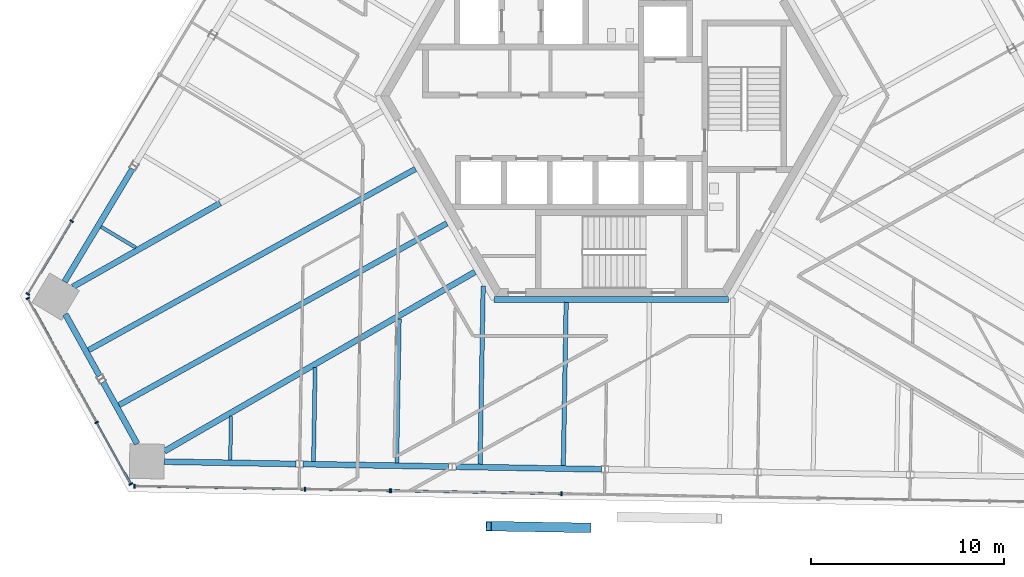
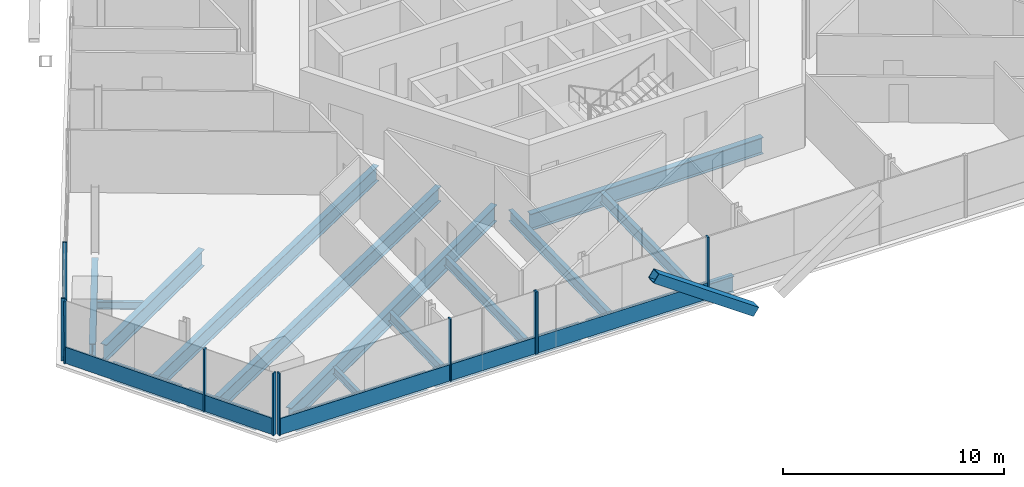
# One storey, part 4 of 18: 17 beams, 17 members, 4 elements without a shape of their own.
"""IFC4 building model written with IfcOpenShell, lengths in metres."""

from ifc_helpers import new_model, si_unit, direction, frame, origin, origin_2d, place, context, subcontext, project, spatial, rectangle, hollow_rectangle, i_section, extrude, source, transform, mapped, material, material_profile, profile_set, type_object, element, aggregate, save


model = new_model("IFC4")

# Units and contexts
model_context = context("Model", 3, precision=1e-05, world=origin(), true_north=direction((0.0, 1.0)))
body_context = subcontext(model_context, "Body", "Model", "MODEL_VIEW")
ifc_project = project(units=[si_unit("LENGTHUNIT", "METRE"), si_unit("AREAUNIT", "SQUARE_METRE"), si_unit("VOLUMEUNIT", "CUBIC_METRE"), si_unit("PLANEANGLEUNIT", "RADIAN"), si_unit("MASSUNIT", "GRAM", prefix="KILO")], contexts=[model_context])

# Site, building, storey
site_placement = place(None, origin())
site = spatial("IfcSite", under=ifc_project, at=site_placement, CompositionType="ELEMENT")
building_placement = place(site_placement, origin())
building = spatial("IfcBuilding", under=site, at=building_placement, Name="Triune Harvest Tower", CompositionType="ELEMENT")
storey_placement = place(building_placement, frame((0.0, 0.0, 197.89990234375)))
storey = spatial("IfcBuildingStorey", under=building, at=storey_placement, Name="L51", CompositionType="ELEMENT", Elevation=197.89990234375)

# Beams
ifc_material_1 = material(Name="Steel ASTM A992 Gr 50", Category="steel")
ifc_material_profile_1 = material_profile(ifc_material_1, i_section(OverallWidth=0.3046875, OverallDepth=0.914306640625, WebThickness=0.0166015625, FlangeThickness=0.02587890625, at=origin_2d()), Name="W36x160")
ifc_profile_set_1 = profile_set([ifc_material_profile_1], Name="Steel ASTM A992 Gr 50")
beam_type_1 = type_object("IfcBeamType", Name="CG-1 Core ring girder W36x160", PredefinedType="BEAM", material=ifc_profile_set_1)
shared_shape_1 = source(origin(), body_context, "Body", "SweptSolid", [
    extrude(i_section(OverallWidth=0.3046875, OverallDepth=0.914306640625, WebThickness=0.0166015625, FlangeThickness=0.02587890625, at=origin_2d()), origin(), (0.0, 0.0, 1.0), 12.17578125),
])
beam_1_placement = place(storey_placement, frame((-6.087890625, -10.544677734375, -0.6171875), z_axis=(1.0, 0.0, 0.0), x_axis=(0.0, 1.0, 0.0)))
element("IfcBeam", 1, at=beam_1_placement, inside=storey, type_object=beam_type_1, Name="beam/L51/CG5", PredefinedType="BEAM", context=body_context, shape_type="MappedRepresentation", body=[
    mapped(shared_shape_1, transform((0.0, 0.0, 0.0), scale=1.0)),
])
ifc_material_2 = material(Name="Steel ASTM A992 Gr 50", Category="steel")
ifc_material_profile_2 = material_profile(ifc_material_2, i_section(OverallWidth=0.3046875, OverallDepth=0.914306640625, WebThickness=0.0166015625, FlangeThickness=0.02587890625, at=origin_2d()), Name="W36x160")
ifc_profile_set_2 = profile_set([ifc_material_profile_2], Name="Steel ASTM A992 Gr 50")
beam_type_2 = type_object("IfcBeamType", Name="SB-1 Spandrel beam W36x160", PredefinedType="SPANDREL", material=ifc_profile_set_2)
shared_shape_2 = source(origin(), body_context, "Body", "SweptSolid", [
    extrude(i_section(OverallWidth=0.3046875, OverallDepth=0.914306640625, WebThickness=0.0166015625, FlangeThickness=0.02587890625, at=origin_2d()), origin(), (0.0, 0.0, 1.0), 6.841796875),
])
for number, where, z_axis, x_axis, name in (
    (2, (-24.86865234375, -3.77001953125, -0.6171875), (-0.515057137128, -0.857155846678, 0.0), (0.857155846678, -0.515057137128, 0.0), "beam/L51/SB14"),
    (3, (-23.21630859375, -18.97265625, -0.6171875), (0.999847751763, -0.01744916312, 0.0), (0.01744916312, 0.999847751763, 0.0), "beam/L51/SB17"),
):
    element("IfcBeam", number, at=place(storey_placement, frame(where, z_axis=z_axis, x_axis=x_axis)), inside=storey, type_object=beam_type_2, Name=name, PredefinedType="SPANDREL", context=body_context, shape_type="MappedRepresentation", body=[
        mapped(shared_shape_2, transform((0.0, 0.0, 0.0), scale=1.0)),
    ])
shared_shape_3 = source(origin(), body_context, "Body", "SweptSolid", [
    extrude(i_section(OverallWidth=0.3046875, OverallDepth=0.914306640625, WebThickness=0.0166015625, FlangeThickness=0.02587890625, at=origin_2d()), origin(), (0.0, 0.0, 1.0), 7.556396484375),
])
for number, where, z_axis, x_axis, name in (
    (4, (-16.0048828125, -19.098388671875, -0.6171875), (0.99984722371, -0.017479394688, 0.0), (0.017479394688, 0.99984722371, 0.0), "beam/L51/SB18"),
    (5, (-8.078857421875, -19.23681640625, -0.6171875), (0.99984722371, -0.017479394688, 0.0), (0.017479394688, 0.99984722371, 0.0), "beam/L51/SB19"),
):
    element("IfcBeam", number, at=place(storey_placement, frame(where, z_axis=z_axis, x_axis=x_axis)), inside=storey, type_object=beam_type_2, Name=name, PredefinedType="SPANDREL", context=body_context, shape_type="MappedRepresentation", body=[
        mapped(shared_shape_3, transform((0.0, 0.0, 0.0), scale=1.0)),
    ])
shared_shape_4 = source(origin(), body_context, "Body", "SweptSolid", [
    extrude(i_section(OverallWidth=0.3046875, OverallDepth=0.914306640625, WebThickness=0.0166015625, FlangeThickness=0.02587890625, at=origin_2d()), origin(), (0.0, 0.0, 1.0), 3.66357421875),
])
beam_2_placement = place(storey_placement, frame((-26.396240234375, -14.84375, -0.6171875), z_axis=(0.484794006312, -0.874628361903, 0.0), x_axis=(0.874628361903, 0.484794006312, 0.0)))
element("IfcBeam", 6, at=beam_2_placement, inside=storey, type_object=beam_type_2, Name="beam/L51/SB16", PredefinedType="SPANDREL", context=body_context, shape_type="MappedRepresentation", body=[
    mapped(shared_shape_4, transform((0.0, 0.0, 0.0), scale=1.0)),
])
shared_shape_5 = source(origin(), body_context, "Body", "SweptSolid", [
    extrude(i_section(OverallWidth=0.3046875, OverallDepth=0.914306640625, WebThickness=0.0166015625, FlangeThickness=0.02587890625, at=origin_2d()), origin(), (0.0, 0.0, 1.0), 3.663818359375),
])
beam_3_placement = place(storey_placement, frame((-28.352294921875, -11.31494140625, -0.6171875), z_axis=(0.484844980499, -0.874600105697, 0.0), x_axis=(0.874600105697, 0.484844980499, 0.0)))
element("IfcBeam", 7, at=beam_3_placement, inside=storey, type_object=beam_type_2, Name="beam/L51/SB15", PredefinedType="SPANDREL", context=body_context, shape_type="MappedRepresentation", body=[
    mapped(shared_shape_5, transform((0.0, 0.0, 0.0), scale=1.0)),
])
ifc_material_3 = material(Name="Steel ASTM A992 Gr 50", Category="steel")
ifc_material_profile_3 = material_profile(ifc_material_3, i_section(OverallWidth=0.307373046875, OverallDepth=0.922119140625, WebThickness=0.018310546875, FlangeThickness=0.030029296875, at=origin_2d()), Name="W36x182")
ifc_profile_set_3 = profile_set([ifc_material_profile_3], Name="Steel ASTM A992 Gr 50")
beam_type_3 = type_object("IfcBeamType", Name="HG-2 Hip girder W36x182", PredefinedType="BEAM", material=ifc_profile_set_3)
shared_shape_6 = source(origin(), body_context, "Body", "SweptSolid", [
    extrude(i_section(OverallWidth=0.307373046875, OverallDepth=0.922119140625, WebThickness=0.018310546875, FlangeThickness=0.030029296875, at=origin_2d()), origin(), (0.0, 0.0, 1.0), 8.79150390625),
])
beam_4_placement = place(storey_placement, frame((-27.958251953125, -9.8955078125, -0.620849609375), z_axis=(0.869275144509, 0.494328557883, 0.0), x_axis=(-0.494328557883, 0.869275144509, 0.0)))
element("IfcBeam", 8, at=beam_4_placement, inside=storey, type_object=beam_type_3, Name="beam/L51/HG5", PredefinedType="BEAM", context=body_context, shape_type="MappedRepresentation", body=[
    mapped(shared_shape_6, transform((0.0, 0.0, 0.0), scale=1.0)),
])
shared_shape_7 = source(origin(), body_context, "Body", "SweptSolid", [
    extrude(i_section(OverallWidth=0.307373046875, OverallDepth=0.922119140625, WebThickness=0.018310546875, FlangeThickness=0.030029296875, at=origin_2d()), origin(), (0.0, 0.0, 1.0), 18.616455078125),
])
beam_5_placement = place(storey_placement, frame((-23.206787109375, -18.431884765625, -0.620849609375), z_axis=(0.866022449336, 0.50000511722, 0.0), x_axis=(-0.50000511722, 0.866022449336, 0.0)))
element("IfcBeam", 9, at=beam_5_placement, inside=storey, type_object=beam_type_3, Name="beam/L51/HG7", PredefinedType="BEAM", context=body_context, shape_type="MappedRepresentation", body=[
    mapped(shared_shape_7, transform((0.0, 0.0, 0.0), scale=1.0)),
])
ifc_material_4 = material(Name="Steel ASTM A992 Gr 50", Category="steel")
ifc_material_profile_4 = material_profile(ifc_material_4, i_section(OverallWidth=0.22900390625, OverallDepth=0.612060546875, WebThickness=0.011962890625, FlangeThickness=0.01953125, at=origin_2d()), Name="W24x84")
ifc_profile_set_4 = profile_set([ifc_material_profile_4], Name="Steel ASTM A992 Gr 50")
beam_type_4 = type_object("IfcBeamType", Name="JT-3 Floor joist W24x84", PredefinedType="JOIST", material=ifc_profile_set_4)
shared_shape_8 = source(origin(), body_context, "Body", "SweptSolid", [
    extrude(i_section(OverallWidth=0.22900390625, OverallDepth=0.612060546875, WebThickness=0.011962890625, FlangeThickness=0.01953125, at=origin_2d()), origin(), (0.0, 0.0, 1.0), 9.247314453125),
])
beam_6_placement = place(storey_placement, frame((-6.8203125, -19.1064453125, -0.466064453125), z_axis=(0.017451330541, 0.999847713936, 0.0), x_axis=(-0.999847713936, 0.017451330541, 0.0)))
element("IfcBeam", 10, at=beam_6_placement, inside=storey, type_object=beam_type_4, Name="beam/L51/JT28", PredefinedType="JOIST", context=body_context, shape_type="MappedRepresentation", body=[
    mapped(shared_shape_8, transform((0.0, 0.0, 0.0), scale=1.0)),
])
shared_shape_9 = source(origin(), body_context, "Body", "SweptSolid", [
    extrude(i_section(OverallWidth=0.22900390625, OverallDepth=0.612060546875, WebThickness=0.011962890625, FlangeThickness=0.01953125, at=origin_2d()), origin(), (0.0, 0.0, 1.0), 8.486083984375),
])
beam_7_placement = place(storey_placement, frame((-2.4970703125, -19.181884765625, -0.466064453125), z_axis=(0.017434191628, 0.999848012931, 0.0), x_axis=(-0.999848012931, 0.017434191628, 0.0)))
element("IfcBeam", 11, at=beam_7_placement, inside=storey, type_object=beam_type_4, Name="beam/L51/JT29", PredefinedType="JOIST", context=body_context, shape_type="MappedRepresentation", body=[
    mapped(shared_shape_9, transform((0.0, 0.0, 0.0), scale=1.0)),
])
ifc_material_5 = material(Name="Steel ASTM A992 Gr 50", Category="steel")
ifc_material_profile_5 = material_profile(ifc_material_5, i_section(OverallWidth=0.2919921875, OverallDepth=0.8408203125, WebThickness=0.0146484375, FlangeThickness=0.021728515625, at=origin_2d()), Name="W33x130")
ifc_profile_set_5 = profile_set([ifc_material_profile_5], Name="Steel ASTM A992 Gr 50")
beam_type_5 = type_object("IfcBeamType", Name="JT-6 Floor joist W33x130", PredefinedType="JOIST", material=ifc_profile_set_5)
shared_shape_10 = source(origin(), body_context, "Body", "SweptSolid", [
    extrude(i_section(OverallWidth=0.2919921875, OverallDepth=0.8408203125, WebThickness=0.0146484375, FlangeThickness=0.021728515625, at=origin_2d()), origin(), (0.0, 0.0, 1.0), 19.403564453125),
])
beam_8_placement = place(storey_placement, frame((-27.142822265625, -13.1826171875, -0.580322265625), z_axis=(0.874615069694, 0.484817986325, 0.0), x_axis=(-0.484817986325, 0.874615069694, 0.0)))
element("IfcBeam", 12, at=beam_8_placement, inside=storey, type_object=beam_type_5, Name="beam/L51/JT23", PredefinedType="JOIST", context=body_context, shape_type="MappedRepresentation", body=[
    mapped(shared_shape_10, transform((0.0, 0.0, 0.0), scale=1.0)),
])
shared_shape_11 = source(origin(), body_context, "Body", "SweptSolid", [
    extrude(i_section(OverallWidth=0.2919921875, OverallDepth=0.8408203125, WebThickness=0.0146484375, FlangeThickness=0.021728515625, at=origin_2d()), origin(), (0.0, 0.0, 1.0), 19.460205078125),
])
beam_9_placement = place(storey_placement, frame((-25.562744140625, -16.03271484375, -0.580322265625), z_axis=(0.874617874633, 0.484812926161, 0.0), x_axis=(-0.484812926161, 0.874617874633, 0.0)))
element("IfcBeam", 13, at=beam_9_placement, inside=storey, type_object=beam_type_5, Name="beam/L51/JT24", PredefinedType="JOIST", context=body_context, shape_type="MappedRepresentation", body=[
    mapped(shared_shape_11, transform((0.0, 0.0, 0.0), scale=1.0)),
])
ifc_material_6 = material(Name="Steel ASTM A992 Gr 50", Category="steel")
ifc_material_profile_6 = material_profile(ifc_material_6, i_section(OverallWidth=0.2099609375, OverallDepth=0.535888671875, WebThickness=0.010986328125, FlangeThickness=0.017333984375, at=origin_2d()), Name="W21x68")
ifc_profile_set_6 = profile_set([ifc_material_profile_6], Name="Steel ASTM A992 Gr 50")
beam_type_6 = type_object("IfcBeamType", Name="JT-2 Floor joist W21x68", PredefinedType="JOIST", material=ifc_profile_set_6)
shared_shape_12 = source(origin(), body_context, "Body", "SweptSolid", [
    extrude(i_section(OverallWidth=0.2099609375, OverallDepth=0.535888671875, WebThickness=0.010986328125, FlangeThickness=0.017333984375, at=origin_2d()), origin(), (0.0, 0.0, 1.0), 4.864501953125),
])
beam_10_placement = place(storey_placement, frame((-15.467041015625, -18.95556640625, -0.427978515625), z_axis=(0.017465461228, 0.999847467199, 0.0), x_axis=(-0.999847467199, 0.017465461228, 0.0)))
element("IfcBeam", 14, at=beam_10_placement, inside=storey, type_object=beam_type_6, Name="beam/L51/JT26", PredefinedType="JOIST", context=body_context, shape_type="MappedRepresentation", body=[
    mapped(shared_shape_12, transform((0.0, 0.0, 0.0), scale=1.0)),
])
ifc_material_7 = material(Name="Steel ASTM A992 Gr 50", Category="steel")
ifc_material_profile_7 = material_profile(ifc_material_7, i_section(OverallWidth=0.180908203125, OverallDepth=0.41650390625, WebThickness=0.010986328125, FlangeThickness=0.01806640625, at=origin_2d()), Name="W16x57")
ifc_profile_set_7 = profile_set([ifc_material_profile_7], Name="Steel ASTM A992 Gr 50")
beam_type_7 = type_object("IfcBeamType", Name="JT-1 Floor joist W16x57", PredefinedType="JOIST", material=ifc_profile_set_7)
shared_shape_13 = source(origin(), body_context, "Body", "SweptSolid", [
    extrude(i_section(OverallWidth=0.180908203125, OverallDepth=0.41650390625, WebThickness=0.010986328125, FlangeThickness=0.01806640625, at=origin_2d()), origin(), (0.0, 0.0, 1.0), 2.104736328125),
])
beam_11_placement = place(storey_placement, frame((-26.498291015625, -6.7783203125, -0.3681640625), z_axis=(0.857185733632, -0.51500739612, 0.0), x_axis=(0.51500739612, 0.857185733632, 0.0)))
element("IfcBeam", 15, at=beam_11_placement, inside=storey, type_object=beam_type_7, Name="beam/L51/JT22", PredefinedType="JOIST", context=body_context, shape_type="MappedRepresentation", body=[
    mapped(shared_shape_13, transform((0.0, 0.0, 0.0), scale=1.0)),
])
shared_shape_14 = source(origin(), body_context, "Body", "SweptSolid", [
    extrude(i_section(OverallWidth=0.180908203125, OverallDepth=0.41650390625, WebThickness=0.010986328125, FlangeThickness=0.01806640625, at=origin_2d()), origin(), (0.0, 0.0, 1.0), 2.26611328125),
])
beam_12_placement = place(storey_placement, frame((-19.790283203125, -18.8798828125, -0.3681640625), z_axis=(0.017452357155, 0.999847696017, 0.0), x_axis=(-0.999847696017, 0.017452357155, 0.0)))
element("IfcBeam", 16, at=beam_12_placement, inside=storey, type_object=beam_type_7, Name="beam/L51/JT25", PredefinedType="JOIST", context=body_context, shape_type="MappedRepresentation", body=[
    mapped(shared_shape_14, transform((0.0, 0.0, 0.0), scale=1.0)),
])
shared_shape_15 = source(origin(), body_context, "Body", "SweptSolid", [
    extrude(i_section(OverallWidth=0.2099609375, OverallDepth=0.535888671875, WebThickness=0.010986328125, FlangeThickness=0.017333984375, at=origin_2d()), origin(), (0.0, 0.0, 1.0), 7.462890625),
])
beam_13_placement = place(storey_placement, frame((-11.143798828125, -19.031005859375, -0.427978515625), z_axis=(0.017469440512, 0.99984739768, 0.0), x_axis=(-0.99984739768, 0.017469440512, 0.0)))
element("IfcBeam", 17, at=beam_13_placement, inside=storey, type_object=beam_type_6, Name="beam/L51/JT27", PredefinedType="JOIST", context=body_context, shape_type="MappedRepresentation", body=[
    mapped(shared_shape_15, transform((0.0, 0.0, 0.0), scale=1.0)),
])

# Member
ifc_material_8 = material(Name="Steel ASTM A572 Gr 50", Category="steel")
ifc_material_profile_8 = material_profile(ifc_material_8, hollow_rectangle(XDim=0.5, YDim=0.5, WallThickness=0.030029296875, at=origin_2d()), Name="Box 500x500x30")
ifc_profile_set_8 = profile_set([ifc_material_profile_8], Name="Steel ASTM A572 Gr 50")
member_type_1 = type_object("IfcMemberType", Name="BR-3 Brace Box 500x500x30", PredefinedType="BRACE", material=ifc_profile_set_8)
shared_shape_16 = source(origin(), body_context, "Body", "SweptSolid", [
    extrude(hollow_rectangle(XDim=0.5, YDim=0.5, WallThickness=0.030029296875, at=origin_2d()), origin(), (0.0, 0.0, 1.0), 6.302978515625),
])
member_1_placement = place(storey_placement, frame((-1.19873046875, -22.409423828125, 0.0), z_axis=(-0.820702450546, 0.014331692784, 0.57117605889), x_axis=(-0.017460052757, -0.99984756166, 0.0)))
element("IfcMember", 18, at=member_1_placement, inside=storey, type_object=member_type_1, Name="brace/B5-F5/d2/6", PredefinedType="BRACE", context=body_context, shape_type="MappedRepresentation", body=[
    mapped(shared_shape_16, transform((0.0, 0.0, 0.0), scale=1.0)),
])

# Curtain wall, members
ifc_material_9 = material(Name="Aluminium bronze anodised", Category="aluminium")
curtain_wall_type_1 = type_object("IfcCurtainWallType", Name="CW-1 Tower stick curtain wall", PredefinedType="NOTDEFINED", material=ifc_material_9)
curtain_wall_1_placement = place(storey_placement, origin())
curtain_wall_1 = element("IfcCurtainWall", 19, at=curtain_wall_1_placement, inside=storey, type_object=curtain_wall_type_1, Name="CW-1 B5-F4 L51 run 1")
ifc_material_10 = material(Name="Aluminium bronze anodised", Category="aluminium")
ifc_material_profile_9 = material_profile(ifc_material_10, rectangle(XDim=0.199951171875, YDim=0.074951171875, at=origin_2d()), Name="MU-1 mullion 75 x 200")
ifc_profile_set_9 = profile_set([ifc_material_profile_9], Name="Aluminium bronze anodised")
member_type_2 = type_object("IfcMemberType", Name="MU-1 mullion 75 x 200", PredefinedType="MULLION", material=ifc_profile_set_9)
shared_shape_17 = source(origin(), body_context, "Body", "SweptSolid", [
    extrude(rectangle(XDim=0.199951171875, YDim=0.074951171875, at=origin_2d()), origin(), (0.0, 0.0, 1.0), 3.440185546875),
])
member_2_placement = place(storey_placement, frame((-30.297607421875, -10.4912109375, 0.0), z_axis=(0.0, 0.0, 1.0), x_axis=(0.874623958582, 0.484801950362, 0.0)))
member_2 = element("IfcMember", 20, at=member_2_placement, type_object=member_type_2, Name="CW-1 mullion B5-F4 1.1", PredefinedType="MULLION", context=body_context, shape_type="MappedRepresentation", body=[
    mapped(shared_shape_17, transform((0.0, 0.0, 0.0), scale=1.0)),
])
member_3_placement = place(storey_placement, frame((-26.72802734375, -16.930908203125, 0.0), z_axis=(0.0, 0.0, 1.0), x_axis=(0.874623958582, 0.484801950362, 0.0)))
member_3 = element("IfcMember", 21, at=member_3_placement, type_object=member_type_2, Name="CW-1 mullion B5-F4 1.3", PredefinedType="MULLION", context=body_context, shape_type="MappedRepresentation", body=[
    mapped(shared_shape_17, transform((0.0, 0.0, 0.0), scale=1.0)),
])
member_4_placement = place(storey_placement, frame((-24.952392578125, -20.13427734375, 0.0), z_axis=(0.0, 0.0, 1.0), x_axis=(0.874623958582, 0.484801950362, 0.0)))
member_4 = element("IfcMember", 22, at=member_4_placement, type_object=member_type_2, Name="CW-1 mullion B5-F4 1.4", PredefinedType="MULLION", context=body_context, shape_type="MappedRepresentation", body=[
    mapped(shared_shape_17, transform((0.0, 0.0, 0.0), scale=1.0)),
])

curtain_wall_2_placement = place(storey_placement, origin())
curtain_wall_2 = element("IfcCurtainWall", 23, at=curtain_wall_2_placement, inside=storey, type_object=curtain_wall_type_1, Name="CW-1 B5-F5 L51 run 1")
member_5_placement = place(storey_placement, frame((-24.76318359375, -20.248046875, 0.0), z_axis=(0.0, 0.0, 1.0), x_axis=(0.017455340552, 0.999847643937, 0.0)))
member_5 = element("IfcMember", 24, at=member_5_placement, type_object=member_type_2, Name="CW-1 mullion B5-F5 1.1", PredefinedType="MULLION", context=body_context, shape_type="MappedRepresentation", body=[
    mapped(shared_shape_17, transform((0.0, 0.0, 0.0), scale=1.0)),
])
member_6_placement = place(storey_placement, frame((-15.913330078125, -20.402587890625, 0.0), z_axis=(0.0, 0.0, 1.0), x_axis=(0.017455340552, 0.999847643937, 0.0)))
member_6 = element("IfcMember", 25, at=member_6_placement, type_object=member_type_2, Name="CW-1 mullion B5-F5 1.3", PredefinedType="MULLION", context=body_context, shape_type="MappedRepresentation", body=[
    mapped(shared_shape_17, transform((0.0, 0.0, 0.0), scale=1.0)),
])
member_7_placement = place(storey_placement, frame((-11.50732421875, -20.4794921875, 0.0), z_axis=(0.0, 0.0, 1.0), x_axis=(0.017455340552, 0.999847643937, 0.0)))
member_7 = element("IfcMember", 26, at=member_7_placement, type_object=member_type_2, Name="CW-1 mullion B5-F5 1.4", PredefinedType="MULLION", context=body_context, shape_type="MappedRepresentation", body=[
    mapped(shared_shape_17, transform((0.0, 0.0, 0.0), scale=1.0)),
])

ifc_material_11 = material(Name="Aluminium bronze anodised", Category="aluminium")
curtain_wall_type_2 = type_object("IfcCurtainWallType", Name="CW-7 Tower stick curtain wall with insulated spandrel infill", PredefinedType="NOTDEFINED", material=ifc_material_11)
curtain_wall_3_placement = place(storey_placement, origin())
curtain_wall_3 = element("IfcCurtainWall", 27, at=curtain_wall_3_placement, inside=storey, type_object=curtain_wall_type_2, Name="CW-7 B5-F5 L51 run 1001")
member_8_placement = place(storey_placement, frame((-11.432373046875, -20.480712890625, 0.0), z_axis=(0.0, 0.0, 1.0), x_axis=(0.017447237873, 0.999847785361, 0.0)))
member_8 = element("IfcMember", 28, at=member_8_placement, type_object=member_type_2, Name="CW-7 mullion B5-F5 1001.1", PredefinedType="MULLION", context=body_context, shape_type="MappedRepresentation", body=[
    mapped(shared_shape_17, transform((0.0, 0.0, 0.0), scale=1.0)),
])
member_9_placement = place(storey_placement, frame((-2.58251953125, -20.63525390625, 0.0), z_axis=(0.0, 0.0, 1.0), x_axis=(0.017447237873, 0.999847785361, 0.0)))
member_9 = element("IfcMember", 29, at=member_9_placement, type_object=member_type_2, Name="CW-7 mullion B5-F5 1001.3", PredefinedType="MULLION", context=body_context, shape_type="MappedRepresentation", body=[
    mapped(shared_shape_17, transform((0.0, 0.0, 0.0), scale=1.0)),
])

ifc_material_12 = material(Name="Aluminium bronze anodised", Category="aluminium")
curtain_wall_type_3 = type_object("IfcCurtainWallType", Name="CW-6 Balcony window wall", PredefinedType="NOTDEFINED", material=ifc_material_12)
curtain_wall_4_placement = place(storey_placement, origin())
curtain_wall_4 = element("IfcCurtainWall", 30, at=curtain_wall_4_placement, inside=storey, type_object=curtain_wall_type_3, Name="CW-6 B5-F3 L51 run 1002")
ifc_material_13 = material(Name="Aluminium bronze anodised", Category="aluminium")
ifc_material_profile_10 = material_profile(ifc_material_13, rectangle(XDim=0.199951171875, YDim=0.074951171875, at=origin_2d()), Name="MU-6 mullion 75 x 200")
ifc_profile_set_10 = profile_set([ifc_material_profile_10], Name="Aluminium bronze anodised")
member_type_3 = type_object("IfcMemberType", Name="MU-6 mullion 75 x 200", PredefinedType="MULLION", material=ifc_profile_set_10)
shared_shape_18 = source(origin(), body_context, "Body", "SweptSolid", [
    extrude(rectangle(XDim=0.199951171875, YDim=0.074951171875, at=origin_2d()), origin(), (0.0, 0.0, 1.0), 3.440185546875),
])
member_10_placement = place(storey_placement, frame((-28.022216796875, -6.490234375, 0.0), z_axis=(0.0, 0.0, 1.0), x_axis=(0.857169600396, -0.515034247558, 0.0)))
member_10 = element("IfcMember", 31, at=member_10_placement, type_object=member_type_3, Name="CW-6 mullion B5-F3 1002.3", PredefinedType="MULLION", context=body_context, shape_type="MappedRepresentation", body=[
    mapped(shared_shape_18, transform((0.0, 0.0, 0.0), scale=1.0)),
])
member_11_placement = place(storey_placement, frame((-30.293701171875, -10.2705078125, 0.0), z_axis=(0.0, 0.0, 1.0), x_axis=(0.857169600396, -0.515034247558, 0.0)))
member_11 = element("IfcMember", 32, at=member_11_placement, type_object=member_type_3, Name="CW-6 mullion B5-F3 1002.4", PredefinedType="MULLION", context=body_context, shape_type="MappedRepresentation", body=[
    mapped(shared_shape_18, transform((0.0, 0.0, 0.0), scale=1.0)),
])

# Member
ifc_material_14 = material(Name="Aluminium bronze anodised", Category="aluminium")
ifc_material_profile_11 = material_profile(ifc_material_14, rectangle(XDim=0.090087890625, YDim=0.89990234375, at=origin_2d()), Name="TR-1 transom 90 x 900")
ifc_profile_set_11 = profile_set([ifc_material_profile_11], Name="Aluminium bronze anodised")
member_type_4 = type_object("IfcMemberType", Name="TR-1 transom 90 x 900", PredefinedType="USERDEFINED", material=ifc_profile_set_11)
shared_shape_19 = source(origin(), body_context, "Body", "SweptSolid", [
    extrude(rectangle(XDim=0.090087890625, YDim=0.89990234375, at=origin_2d()), origin(), (0.0, 0.0, 1.0), 7.28759765625),
])
member_12_placement = place(storey_placement, frame((-30.279296875, -10.524169921875, 0.4501953125), z_axis=(0.484786537831, -0.874632501533, 0.0), x_axis=(0.874632501533, 0.484786537831, 0.0)))
member_12 = element("IfcMember", 33, at=member_12_placement, type_object=member_type_4, Name="CW-1 transom B5-F4 1.1", ObjectType="TRANSOM", PredefinedType="USERDEFINED", context=body_context, shape_type="MappedRepresentation", body=[
    mapped(shared_shape_19, transform((0.0, 0.0, 0.0), scale=1.0)),
])

shared_shape_20 = source(origin(), body_context, "Body", "SweptSolid", [
    extrude(rectangle(XDim=0.090087890625, YDim=0.89990234375, at=origin_2d()), origin(), (0.0, 0.0, 1.0), 3.587646484375),
])
member_13_placement = place(storey_placement, frame((-26.7099609375, -16.963623046875, 0.4501953125), z_axis=(0.484781810323, -0.874635121854, 0.0), x_axis=(0.874635121854, 0.484781810323, 0.0)))
member_13 = element("IfcMember", 34, at=member_13_placement, type_object=member_type_4, Name="CW-1 transom B5-F4 1.2", ObjectType="TRANSOM", PredefinedType="USERDEFINED", context=body_context, shape_type="MappedRepresentation", body=[
    mapped(shared_shape_20, transform((0.0, 0.0, 0.0), scale=1.0)),
])

aggregate(curtain_wall_1, [member_2, member_3, member_4, member_12, member_13])

shared_shape_21 = source(origin(), body_context, "Body", "SweptSolid", [
    extrude(rectangle(XDim=0.090087890625, YDim=0.89990234375, at=origin_2d()), origin(), (0.0, 0.0, 1.0), 8.77587890625),
])
member_14_placement = place(storey_placement, frame((-24.7255859375, -20.248779296875, 0.4501953125), z_axis=(0.999847866219, -0.017442603492, 0.0), x_axis=(0.017442603492, 0.999847866219, 0.0)))
member_14 = element("IfcMember", 35, at=member_14_placement, type_object=member_type_4, Name="CW-1 transom B5-F5 1.1", ObjectType="TRANSOM", PredefinedType="USERDEFINED", context=body_context, shape_type="MappedRepresentation", body=[
    mapped(shared_shape_21, transform((0.0, 0.0, 0.0), scale=1.0)),
])

member_15_placement = place(storey_placement, frame((-11.394775390625, -20.4814453125, 0.4501953125), z_axis=(0.999847866219, -0.017442603492, 0.0), x_axis=(0.017442603492, 0.999847866219, 0.0)))
member_15 = element("IfcMember", 36, at=member_15_placement, type_object=member_type_4, Name="CW-7 transom B5-F5 1001.1", ObjectType="TRANSOM", PredefinedType="USERDEFINED", context=body_context, shape_type="MappedRepresentation", body=[
    mapped(shared_shape_21, transform((0.0, 0.0, 0.0), scale=1.0)),
])

aggregate(curtain_wall_3, [member_8, member_9, member_15])

ifc_material_15 = material(Name="Aluminium bronze anodised", Category="aluminium")
ifc_material_profile_12 = material_profile(ifc_material_15, rectangle(XDim=0.090087890625, YDim=0.14990234375, at=origin_2d()), Name="TR-6 transom 90 x 150")
ifc_profile_set_12 = profile_set([ifc_material_profile_12], Name="Aluminium bronze anodised")
member_type_5 = type_object("IfcMemberType", Name="TR-6 transom 90 x 150", PredefinedType="USERDEFINED", material=ifc_profile_set_12)
shared_shape_22 = source(origin(), body_context, "Body", "SweptSolid", [
    extrude(rectangle(XDim=0.090087890625, YDim=0.14990234375, at=origin_2d()), origin(), (0.0, 0.0, 1.0), 4.335205078125),
])
member_16_placement = place(storey_placement, frame((-28.04150390625, -6.522216796875, 0.0751953125), z_axis=(-0.515050509117, -0.857159829354, 0.0), x_axis=(0.857159829354, -0.515050509117, 0.0)))
member_16 = element("IfcMember", 37, at=member_16_placement, type_object=member_type_5, Name="CW-6 transom B5-F3 1002.2", ObjectType="TRANSOM", PredefinedType="USERDEFINED", context=body_context, shape_type="MappedRepresentation", body=[
    mapped(shared_shape_22, transform((0.0, 0.0, 0.0), scale=1.0)),
])

aggregate(curtain_wall_4, [member_10, member_11, member_16])

shared_shape_23 = source(origin(), body_context, "Body", "SweptSolid", [
    extrude(rectangle(XDim=0.090087890625, YDim=0.89990234375, at=origin_2d()), origin(), (0.0, 0.0, 1.0), 4.33203125),
])
member_17_placement = place(storey_placement, frame((-15.8759765625, -20.403076171875, 0.4501953125), z_axis=(0.999847370753, -0.017470981621, 0.0), x_axis=(0.017470981621, 0.999847370753, 0.0)))
member_17 = element("IfcMember", 38, at=member_17_placement, type_object=member_type_4, Name="CW-1 transom B5-F5 1.2", ObjectType="TRANSOM", PredefinedType="USERDEFINED", context=body_context, shape_type="MappedRepresentation", body=[
    mapped(shared_shape_23, transform((0.0, 0.0, 0.0), scale=1.0)),
])

aggregate(curtain_wall_2, [member_5, member_6, member_7, member_14, member_17])

save(model, "model.ifc")
